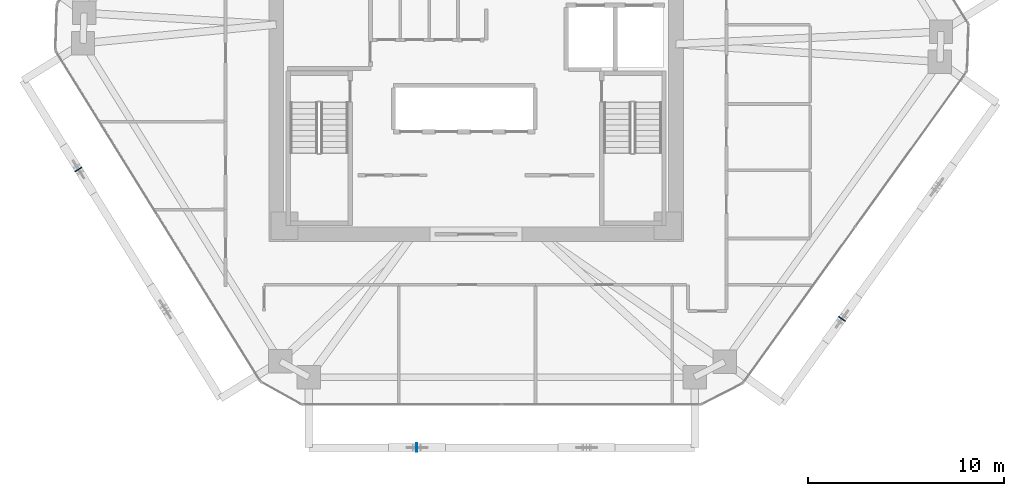
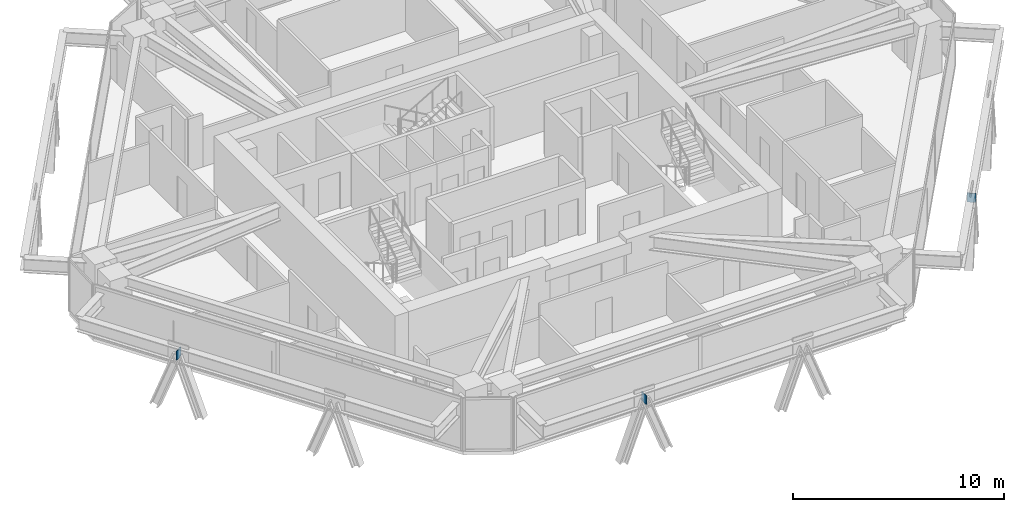
# One storey, part 10 of 16: 3 plates.
"""IFC4 building model written with IfcOpenShell, lengths in metres."""

import ifcopenshell
import ifcopenshell.guid

model = None  # the IFC model being written
_history = None  # IfcOwnerHistory: only IFC2X3 demands one
_inside = {}  # id of a spatial element -> (the spatial element, [elements in it])
_under = {}  # id of a project, library or spatial element -> (it, [spatial elements below it])
_declared = {}  # id of a project -> (the project, [libraries it declares])
_typed = {}  # id of a type object -> (the type object, [elements of that type])
_made_of = {}  # id of a material, layer set ... -> (it, [elements and type objects made of it])


def new_model(schema):
    """Start an empty IFC model of exactly this schema.

    Asked for "IFC4X3", IfcOpenShell would pick the latest addendum, in which some entities
    have other attributes; the version numbers below select the first issue.
    IFC2X3 requires an IfcOwnerHistory on every rooted entity: one is made here for all.
    """
    global model, _history
    if schema == "IFC4X3":
        model = ifcopenshell.file(schema_version=(4, 3, 0, 0))
    else:
        model = ifcopenshell.file(schema=schema)
    _inside.clear()
    _under.clear()
    _declared.clear()
    _typed.clear()
    _made_of.clear()
    _history = None
    if model.schema == "IFC2X3":
        org = make("IfcOrganization", Name="unknown")
        user = make(
            "IfcPersonAndOrganization",
            ThePerson=make("IfcPerson", FamilyName="unknown"),
            TheOrganization=org,
        )
        app = make(
            "IfcApplication",
            ApplicationDeveloper=org,
            Version="unknown",
            ApplicationFullName="unknown",
            ApplicationIdentifier="unknown",
        )
        _history = make(
            "IfcOwnerHistory",
            OwningUser=user,
            OwningApplication=app,
            ChangeAction="ADDED",
            CreationDate=0,
        )
    return model


def make(cls, **values):
    """One entity of the class cls with the attributes given. An attribute that is None is left unset."""
    return model.create_entity(
        cls, **{name: value for name, value in values.items() if value is not None}
    )


def rooted(cls, **values):
    """An entity with a GlobalId (a new one), such as an element, a storey or a relation."""
    return make(cls, GlobalId=ifcopenshell.guid.new(), OwnerHistory=_history, **values)


def si_unit(unit_type, name, prefix=None):
    """IfcSIUnit, for example si_unit("LENGTHUNIT", "METRE", prefix="MILLI")."""
    return make("IfcSIUnit", UnitType=unit_type, Prefix=prefix, Name=name)


def assignment(units):
    """IfcUnitAssignment: the units of a project."""
    return None if units is None else make("IfcUnitAssignment", Units=units)


def point(xyz):
    """IfcCartesianPoint."""
    return None if xyz is None else make("IfcCartesianPoint", Coordinates=xyz)


def direction(xyz):
    """IfcDirection."""
    return None if xyz is None else make("IfcDirection", DirectionRatios=xyz)


def frame(location, z_axis=None, x_axis=None):
    """IfcAxis2Placement3D, a coordinate frame: its origin and axes. An axis left out is left unset."""
    return make(
        "IfcAxis2Placement3D",
        Location=point(location),
        Axis=direction(z_axis),
        RefDirection=direction(x_axis),
    )


def frame_2d(location, x_axis=None):
    """IfcAxis2Placement2D, a coordinate frame in the plane: its origin and x axis."""
    return make(
        "IfcAxis2Placement2D", Location=point(location), RefDirection=direction(x_axis)
    )


def origin():
    """The frame at (0, 0, 0) with its axes left unset."""
    return frame((0.0, 0.0, 0.0))


def origin_2d():
    """The frame at (0, 0) in the plane with its x axis left unset."""
    return frame_2d((0.0, 0.0))


def place(relative_to, where):
    """IfcLocalPlacement: puts the frame where relative to a parent placement (None: the world)."""
    return make(
        "IfcLocalPlacement", PlacementRelTo=relative_to, RelativePlacement=where
    )


def context(
    kind, dimensions, precision=None, world=None, true_north=None, identifier=None
):
    """IfcGeometricRepresentationContext, for example the 3D "Model" context."""
    return make(
        "IfcGeometricRepresentationContext",
        ContextIdentifier=identifier,
        ContextType=kind,
        CoordinateSpaceDimension=dimensions,
        Precision=precision,
        WorldCoordinateSystem=world,
        TrueNorth=true_north,
    )


def subcontext(parent, identifier, kind, view, scale=None):
    """IfcGeometricRepresentationSubContext, for example "Body" below "Model"."""
    return make(
        "IfcGeometricRepresentationSubContext",
        ContextIdentifier=identifier,
        ContextType=kind,
        ParentContext=parent,
        TargetScale=scale,
        TargetView=view,
    )


def project(units=None, contexts=None):
    """IfcProject with its units and contexts."""
    return rooted(
        "IfcProject",
        Name="project",
        RepresentationContexts=contexts,
        UnitsInContext=assignment(units),
    )


def spatial(cls, under=None, at=None, **own):
    """A site, building, storey or space (cls), placed at a placement, below another one or the project."""
    s = rooted(cls, ObjectPlacement=at, **own)
    if under is not None:
        _under.setdefault(under.id(), (under, []))[1].append(s)
    return s


def profile(cls, at=None, kind="AREA", **sizes):
    """A parametric profile (cls). Its sizes go by their IFC names, for example OverallWidth=200.0."""
    return make(cls, ProfileType=kind, Position=at, **sizes)


def rectangle(**sizes):
    """IfcRectangleProfileDef."""
    return profile("IfcRectangleProfileDef", **sizes)


def extrude(swept, where, along, depth):
    """IfcExtrudedAreaSolid: the profile swept, set in the frame where, extruded along a direction by depth."""
    return make(
        "IfcExtrudedAreaSolid",
        SweptArea=swept,
        Position=where,
        ExtrudedDirection=direction(along),
        Depth=depth,
    )


def shape(context_of_items, identifier, shape_type, items):
    """IfcShapeRepresentation: the items that make up one representation, for example the "Body"."""
    return make(
        "IfcShapeRepresentation",
        ContextOfItems=context_of_items,
        RepresentationIdentifier=identifier,
        RepresentationType=shape_type,
        Items=items,
    )


def source(mapping_origin, context_of_items, identifier, shape_type, items):
    """IfcRepresentationMap: a shape defined once, which mapped items show again and again."""
    return make(
        "IfcRepresentationMap",
        MappingOrigin=mapping_origin,
        MappedRepresentation=shape(context_of_items, identifier, shape_type, items),
    )


def transform(
    local_origin,
    x_axis=None,
    y_axis=None,
    z_axis=None,
    scale=None,
    scale2=None,
    scale3=None,
    uniform=True,
):
    """IfcCartesianTransformationOperator3D, or its non-uniform kind. x_axis, y_axis, z_axis: its Axis1, 2, 3."""
    if uniform:
        return make(
            "IfcCartesianTransformationOperator3D",
            Axis1=direction(x_axis),
            Axis2=direction(y_axis),
            LocalOrigin=point(local_origin),
            Scale=scale,
            Axis3=direction(z_axis),
        )
    return make(
        "IfcCartesianTransformationOperator3DnonUniform",
        Axis1=direction(x_axis),
        Axis2=direction(y_axis),
        LocalOrigin=point(local_origin),
        Scale=scale,
        Axis3=direction(z_axis),
        Scale2=scale2,
        Scale3=scale3,
    )


def mapped(mapping_source, mapping_target):
    """IfcMappedItem: shows the shape of a source again, moved by a transform."""
    return make(
        "IfcMappedItem", MappingSource=mapping_source, MappingTarget=mapping_target
    )


def material(Name=None, Category=None):
    """IfcMaterial."""
    return make("IfcMaterial", Name=Name, Category=Category)


def layer(
    of_material, thickness, ventilated=None, Name=None, Category=None, Priority=None
):
    """IfcMaterialLayer: one layer of a wall or slab, of a material (None: an air gap)."""
    return make(
        "IfcMaterialLayer",
        Material=of_material,
        LayerThickness=thickness,
        IsVentilated=ventilated,
        Name=Name,
        Category=Category,
        Priority=Priority,
    )


def layer_set(layers, Name=None):
    """IfcMaterialLayerSet."""
    return make("IfcMaterialLayerSet", MaterialLayers=layers, LayerSetName=Name)


def made_of(thing, what):
    """Note that an element or type object is made of a material, layer set ...; save() writes the relation."""
    if what is not None:
        _made_of.setdefault(what.id(), (what, []))[1].append(thing)
    return thing


def type_object(cls, material=None, **own):
    """A type object (cls), such as IfcWallType, which elements share."""
    return made_of(rooted(cls, **own), material)


def type_shapes(of_type, sources):
    """Give a type object the sources (RepresentationMaps) that its elements show as mapped items."""
    of_type.RepresentationMaps = sources


def element(
    cls,
    number,
    at=None,
    inside=None,
    cuts=None,
    type_object=None,
    material=None,
    context=None,
    identifier="Body",
    shape_type=None,
    held_by="IfcProductDefinitionShape",
    body=None,
    shapes=None,
    **own,
):
    """One element of the class cls, such as IfcWall. Its Tag is "e" and its number.

    at: its placement. inside: the storey or other place that contains it. cuts: it is an
    opening in that element (IfcRelVoidsElement). A single representation is given by context,
    identifier, shape_type and body (its items); several are given by shapes. held_by: the class
    of the entity that holds the representations. save() writes the other relations.
    """
    e = rooted(cls, Tag="e%d" % number, ObjectPlacement=at, **own)
    if body is not None:
        shapes = [shape(context, identifier, shape_type, body)]
    if shapes is not None:
        e.Representation = make(held_by, Representations=shapes)
    if inside is not None:
        _inside.setdefault(inside.id(), (inside, []))[1].append(e)
    if cuts is not None:
        rooted(
            "IfcRelVoidsElement", RelatingBuildingElement=cuts, RelatedOpeningElement=e
        )
    if type_object is not None:
        _typed.setdefault(type_object.id(), (type_object, []))[1].append(e)
    return made_of(e, material)


def aggregate(whole, parts):
    """IfcRelAggregates: a whole, such as a stair, and the parts it consists of."""
    return rooted("IfcRelAggregates", RelatingObject=whole, RelatedObjects=parts)


def save(model, path):
    """Write the relations noted so far, then the file.

    IfcRelAggregates (storeys below a building ...), IfcRelContainedInSpatialStructure (elements
    in a storey), IfcRelDefinesByType, IfcRelAssociatesMaterial and IfcRelDeclares: one each for
    every whole, place, type object, material and project.
    """
    for whole, parts in _under.values():
        aggregate(whole, parts)
    for where, things in _inside.values():
        rooted(
            "IfcRelContainedInSpatialStructure",
            RelatedElements=things,
            RelatingStructure=where,
        )
    for kind, things in _typed.values():
        rooted("IfcRelDefinesByType", RelatedObjects=things, RelatingType=kind)
    for what, things in _made_of.values():
        rooted("IfcRelAssociatesMaterial", RelatedObjects=things, RelatingMaterial=what)
    for by, libraries in _declared.values():
        rooted("IfcRelDeclares", RelatingContext=by, RelatedDefinitions=libraries)
    model.write(path)


model = new_model("IFC4")

# Units and contexts
model_context = context("Model", 3, precision=1e-05, world=origin(), true_north=direction((0.0, 1.0)))
body_context = subcontext(model_context, "Body", "Model", "MODEL_VIEW")
ifc_project = project(units=[si_unit("LENGTHUNIT", "METRE"), si_unit("AREAUNIT", "SQUARE_METRE"), si_unit("VOLUMEUNIT", "CUBIC_METRE"), si_unit("PLANEANGLEUNIT", "RADIAN"), si_unit("MASSUNIT", "GRAM", prefix="KILO")], contexts=[model_context])

# Site, building, storey
site_placement = place(None, origin())
site = spatial("IfcSite", under=ifc_project, at=site_placement, CompositionType="ELEMENT")
building_placement = place(site_placement, origin())
building = spatial("IfcBuilding", under=site, at=building_placement, Name="Durnholm Broadcast Tower", CompositionType="ELEMENT")
storey_placement = place(building_placement, frame((0.0, 0.0, 110.699951171875)))
storey = spatial("IfcBuildingStorey", under=building, at=storey_placement, Name="L29", CompositionType="ELEMENT", Elevation=110.699951171875)

# Plates
ifc_material = material(Name="Steel ASTM A572 Grade 50", Category="steel")
ifc_layer = layer(ifc_material, 0.044921875)
ifc_layer_set = layer_set([ifc_layer], Name="Steel ASTM A572 Grade 50")
plate_type = type_object("IfcPlateType", Name="PLT-KN-STIF", PredefinedType="SHEET", material=ifc_layer_set)
shared_shape = source(origin(), body_context, "Body", "SweptSolid", [
    extrude(rectangle(XDim=0.044921875, YDim=0.419921875, at=origin_2d()), origin(), (0.0, 0.0, 1.0), 0.52001953125),
])
type_shapes(plate_type, [shared_shape])
for number, where, z_axis, x_axis, name in (
    (1, (-3.028076171875, -19.136962890625, 2.048583984375), (0.0, 0.0, 1.0), (1.0, 0.0, 0.0), "L29 welded diagrid node stiffener plate F1"),
    (2, (18.71875, -12.556396484375, 2.048583984375), (0.0, 0.0, 1.0), (0.583399467156, 0.812185361677, 0.0), "L29 welded diagrid node stiffener plate F2"),
    (3, (-20.337158203125, -4.910400390625, 2.048583984375), (0.0, 0.0, 1.0), (0.527104121728, -0.849800708906, 0.0), "L29 welded diagrid node stiffener plate F6"),
):
    element("IfcPlate", number, at=place(storey_placement, frame(where, z_axis=z_axis, x_axis=x_axis)), inside=storey, type_object=plate_type, Name=name, PredefinedType="SHEET", context=body_context, shape_type="MappedRepresentation", body=[
        mapped(shared_shape, transform((0.0, 0.0, 0.0), x_axis=(1.0, 0.0, 0.0), y_axis=(0.0, 1.0, 0.0), z_axis=(0.0, 0.0, 1.0), scale=1.0)),
    ])

save(model, "model.ifc")
